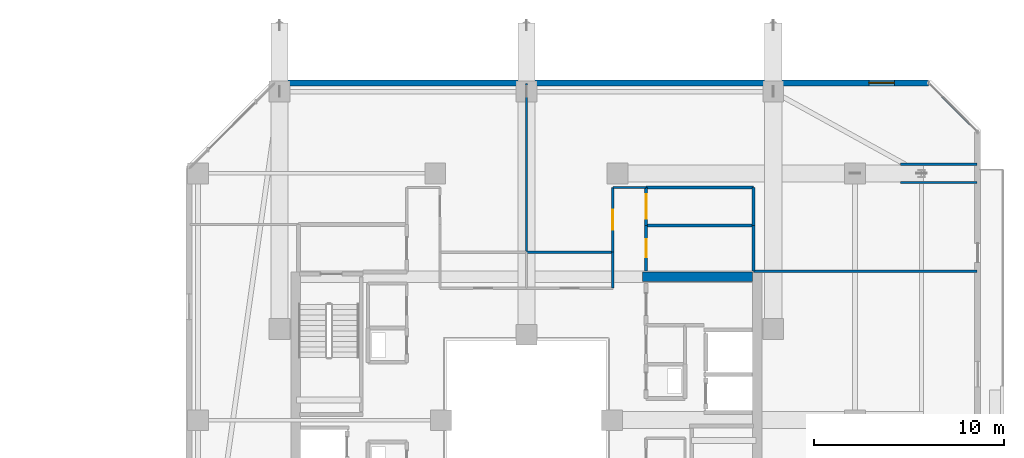
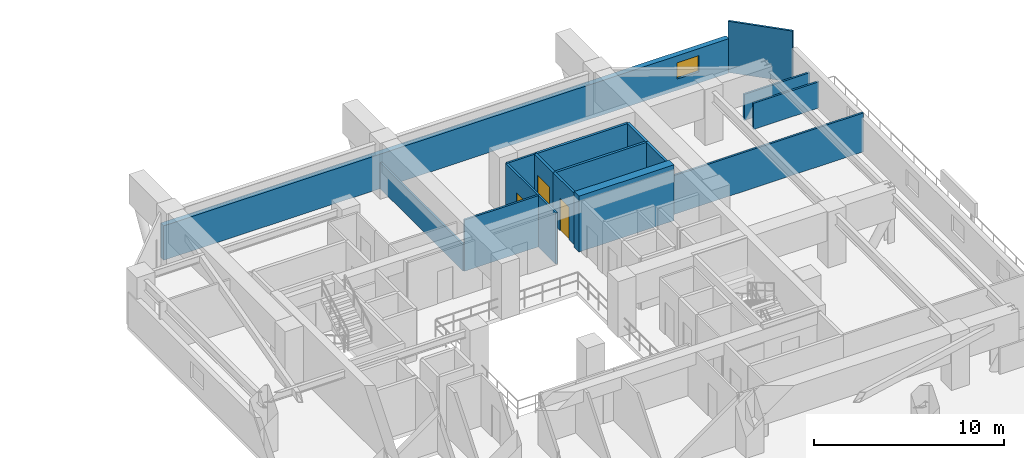
# One storey, part 27 of 35: 17 walls, 3 doors, 1 window, 4 openings.
"""IFC4 building model written with IfcOpenShell, lengths in metres."""

from ifc_helpers import new_model, si_unit, direction, frame, frame_2d, origin, place, context, subcontext, project, spatial, rectangle, extrude, material, layer, layer_set, type_object, element, fill, save


model = new_model("IFC4")

# Units and contexts
model_context = context("Model", 3, precision=1e-05, world=origin(), true_north=direction((0.0, 1.0)))
body_context = subcontext(model_context, "Body", "Model", "MODEL_VIEW")
ifc_project = project(units=[si_unit("LENGTHUNIT", "METRE"), si_unit("AREAUNIT", "SQUARE_METRE"), si_unit("VOLUMEUNIT", "CUBIC_METRE"), si_unit("PLANEANGLEUNIT", "RADIAN"), si_unit("MASSUNIT", "GRAM", prefix="KILO")], contexts=[model_context])

# Site, building, storey
site_placement = place(None, origin())
site = spatial("IfcSite", under=ifc_project, at=site_placement, CompositionType="ELEMENT")
building_placement = place(site_placement, origin())
building = spatial("IfcBuilding", under=site, at=building_placement, Name="Thornwick Lancets Civic Towers", CompositionType="ELEMENT")
storey_placement = place(building_placement, frame((0.0, 0.0, 145.5)))
storey = spatial("IfcBuildingStorey", under=building, at=storey_placement, Name="L38", CompositionType="ELEMENT", Elevation=145.5)

# Wall
ifc_material_1 = material(Name="Concrete C50/60", Category="concrete")
ifc_layer_1 = layer(ifc_material_1, 0.5, Name="Concrete C50/60")
ifc_layer_set_1 = layer_set([ifc_layer_1], Name="Concrete C50/60")
wall_type_1 = type_object("IfcWallType", Name="WALL_CORE_500", PredefinedType="SHEAR", material=ifc_layer_set_1)
wall_1_placement = place(storey_placement, frame((94.60009765625, 34.550048828125, 0.0), z_axis=(0.0, 0.0, 1.0), x_axis=(1.0, 0.0, 0.0)))
element("IfcWall", 1, at=wall_1_placement, inside=storey, type_object=wall_type_1, Name="L38 Split Core B1 Shear Wall N", PredefinedType="SHEAR", context=body_context, shape_type="SweptSolid", body=[
    extrude(rectangle(XDim=5.7998046875, YDim=0.5, at=frame_2d((2.89990234375, 0.0))), origin(), (0.0, 0.0, 1.0), 3.60009765625),
])

# Wall, opening, window
ifc_material_2 = material(Name="Insulated buff terracotta rainscreen on concrete C40/50", Category="masonry")
ifc_layer_2 = layer(ifc_material_2, 0.320068359375, Name="Insulated buff terracotta rainscreen on concrete C40/50")
ifc_layer_set_2 = layer_set([ifc_layer_2], Name="Insulated buff terracotta rainscreen on concrete C40/50")
wall_type_2 = type_object("IfcWallType", Name="WALL_EXT_TERRA_320", PredefinedType="STANDARD", material=ifc_layer_set_2)
wall_2_placement = place(storey_placement, frame((109.681396484375, 44.7646484375, 0.0), z_axis=(0.0, 0.0, 1.0), x_axis=(-0.999999983007, -0.000184351399, 0.0)))
wall_2 = element("IfcWall", 2, at=wall_2_placement, inside=storey, type_object=wall_type_2, Name="L38 Tower B Terracotta Facade Wall E4", PredefinedType="STANDARD", context=body_context, shape_type="SweptSolid", body=[
    extrude(rectangle(XDim=34.432373046875, YDim=0.320068359375, at=frame_2d((17.21630859375, 0.0))), origin(), (0.0, 0.0, 1.0), 2.219970703125),
])
opening_1_placement = place(wall_2_placement, frame((1.800048828125, 0.0, 0.719970703125)))
opening_1 = element("IfcOpeningElement", 3, at=opening_1_placement, cuts=wall_2, Name="Opening WL-03", PredefinedType="OPENING", context=body_context, shape_type="SweptSolid", body=[
    extrude(rectangle(XDim=1.35009765625, YDim=1.050048828125, at=frame_2d((0.675048828125, 0.52490234375))), frame((0.0, 0.169921875, 0.0), z_axis=(0.0, -1.0, 0.0), x_axis=(1.0, 0.0, 0.0)), (0.0, 0.0, 1.0), 0.340087890625),
])
ifc_material_3 = material(Name="Clear low-e double glazing clerestory lancet", Category="glass")
window_type = type_object("IfcWindowType", Name="WIN_LANCET_1350", PartitioningType="SINGLE_PANEL", PredefinedType="WINDOW", material=ifc_material_3)
window_placement = place(opening_1_placement, origin())
window = element("IfcWindow", 4, at=window_placement, inside=storey, type_object=window_type, Name="L38 Tower B Staggered Lancet Window E4-1", OverallHeight=1.050048828125, OverallWidth=1.35009765625, PartitioningType="SINGLE_PANEL", PredefinedType="WINDOW", context=body_context, shape_type="SweptSolid", body=[
    extrude(rectangle(XDim=1.35009765625, YDim=1.050048828125, at=frame_2d((0.675048828125, 0.52490234375))), frame((0.0, 0.030029296875, 0.0), z_axis=(0.0, -1.0, 0.0), x_axis=(1.0, 0.0, 0.0)), (0.0, 0.0, 1.0), 0.06005859375),
])
fill(opening_1, window)

# Walls
ifc_material_4 = material(Name="Acoustic gypsum board partition")
ifc_layer_3 = layer(ifc_material_4, 0.1201171875, Name="Acoustic gypsum board partition")
ifc_layer_set_3 = layer_set([ifc_layer_3], Name="Acoustic gypsum board partition")
wall_type_3 = type_object("IfcWallType", Name="WALL_PART_120", PredefinedType="PARTITIONING", material=ifc_layer_set_3)
wall_3_placement = place(storey_placement, frame((88.5, 35.85009765625, 0.0), z_axis=(0.0, 0.0, 1.0), x_axis=(1.0, 0.0, 0.0)))
element("IfcWall", 5, at=wall_3_placement, inside=storey, type_object=wall_type_3, Name="L38 Partition L38-B-E1 E2", PredefinedType="PARTITIONING", context=body_context, shape_type="SweptSolid", body=[
    extrude(rectangle(XDim=4.550048828125, YDim=0.1201171875, at=frame_2d((2.27490234375, 0.0))), origin(), (0.0, 0.0, 1.0), 3.300048828125),
])
wall_4_placement = place(storey_placement, frame((93.050048828125, 35.85009765625, 0.0), z_axis=(0.0, 0.0, 1.0), x_axis=(0.0, -1.0, 0.0)))
element("IfcWall", 6, at=wall_4_placement, inside=storey, type_object=wall_type_3, Name="L38 Partition L38-B-E1 E3", PredefinedType="PARTITIONING", context=body_context, shape_type="SweptSolid", body=[
    extrude(rectangle(XDim=1.900146484375, YDim=0.1201171875, at=frame_2d((0.9501953125, 0.0))), origin(), (0.0, 0.0, 1.0), 3.300048828125),
])
wall_5_placement = place(storey_placement, frame((94.800048828125, 39.25, 0.0), z_axis=(0.0, 0.0, 1.0), x_axis=(-1.0, 0.0, 0.0)))
element("IfcWall", 7, at=wall_5_placement, inside=storey, type_object=wall_type_3, Name="L38 Partition L38-B-E2 E4", PredefinedType="PARTITIONING", context=body_context, shape_type="SweptSolid", body=[
    extrude(rectangle(XDim=1.75, YDim=0.1201171875, at=frame_2d((0.875, 0.0))), origin(), (0.0, 0.0, 1.0), 3.300048828125),
])

# Wall, opening, door
wall_6_placement = place(storey_placement, frame((93.050048828125, 39.25, 0.0), z_axis=(0.0, 0.0, 1.0), x_axis=(0.0, -1.0, 0.0)))
wall_6 = element("IfcWall", 8, at=wall_6_placement, inside=storey, type_object=wall_type_3, Name="L38 Partition L38-B-E2 E5", PredefinedType="PARTITIONING", context=body_context, shape_type="SweptSolid", body=[
    extrude(rectangle(XDim=3.39990234375, YDim=0.1201171875, at=frame_2d((1.699951171875, 0.0))), origin(), (0.0, 0.0, 1.0), 3.300048828125),
])
opening_2_placement = place(wall_6_placement, frame((1.175048828125, 0.0, 0.0)))
opening_2 = element("IfcOpeningElement", 9, at=opening_2_placement, cuts=wall_6, Name="Opening D-L38-1748", PredefinedType="OPENING", context=body_context, shape_type="SweptSolid", body=[
    extrude(rectangle(XDim=1.050048828125, YDim=2.10009765625, at=frame_2d((0.52490234375, 1.050048828125))), frame((0.0, 0.070068359375, 0.0), z_axis=(0.0, -1.0, 0.0), x_axis=(1.0, 0.0, 0.0)), (0.0, 0.0, 1.0), 0.14013671875),
])
ifc_material_5 = material(Name="Glazed European oak executive doorset")
door_type_1 = type_object("IfcDoorType", Name="DOOR_OFFICE_1050", OperationType="NOTDEFINED", PredefinedType="DOOR", material=ifc_material_5)
door_1_placement = place(opening_2_placement, origin())
door_1 = element("IfcDoor", 10, at=door_1_placement, inside=storey, type_object=door_type_1, Name="L38 Tower B Secretariat Open Office E1 Door", OperationType="SINGLE_SWING_LEFT", OverallHeight=2.10009765625, OverallWidth=1.050048828125, PredefinedType="DOOR", context=body_context, shape_type="SweptSolid", body=[
    extrude(rectangle(XDim=1.050048828125, YDim=2.10009765625, at=frame_2d((0.52490234375, 1.050048828125))), frame((0.0, 0.02490234375, 0.0), z_axis=(0.0, -1.0, 0.0), x_axis=(1.0, 0.0, 0.0)), (0.0, 0.0, 1.0), 0.050048828125),
])
fill(opening_2, door_1)

# Walls
wall_7_placement = place(storey_placement, frame((88.5, 35.85009765625, 0.0), z_axis=(0.0, 0.0, 1.0), x_axis=(0.0, 1.0, 0.0)))
element("IfcWall", 11, at=wall_7_placement, inside=storey, type_object=wall_type_3, Name="L38 Partition L38-B-E2 E7", PredefinedType="PARTITIONING", context=body_context, shape_type="SweptSolid", body=[
    extrude(rectangle(XDim=8.869873046875, YDim=0.1201171875, at=frame_2d((4.43505859375, 0.0))), origin(), (0.0, 0.0, 1.0), 1.68505859375),
])
wall_8_placement = place(storey_placement, frame((109.725341796875, 44.719970703125, 0.0), z_axis=(0.0, 0.0, 1.0), x_axis=(0.707106781187, -0.707106781187, 0.0)))
element("IfcWall", 12, at=wall_8_placement, inside=storey, type_object=wall_type_3, Name="L38 Partition L38-B-E2 E9", PredefinedType="PARTITIONING", context=body_context, shape_type="SweptSolid", body=[
    extrude(rectangle(XDim=3.52783203125, YDim=0.1201171875, at=frame_2d((1.763916015625, 0.0))), origin(), (0.0, 0.0, 1.0), 3.300048828125),
])
for number, where, z_axis, x_axis, name in (
    (13, (112.219970703125, 40.47998046875, 0.0), (0.0, 0.0, 1.0), (-1.0, 0.0, 0.0), "L38 Partition L38-B-E2 E11"),
    (14, (108.212646484375, 39.52001953125, 0.0), (0.0, 0.0, 1.0), (1.0, 0.0, 0.0), "L38 Partition L38-B-E2 E13"),
):
    element("IfcWall", number, at=place(storey_placement, frame(where, z_axis=z_axis, x_axis=x_axis)), inside=storey, type_object=wall_type_3, Name=name, PredefinedType="PARTITIONING", context=body_context, shape_type="SweptSolid", body=[
        extrude(rectangle(XDim=4.00732421875, YDim=0.1201171875, at=frame_2d((2.003662109375, 0.0))), origin(), (0.0, 0.0, 1.0), 1.68505859375),
    ])
wall_9_placement = place(storey_placement, frame((112.219970703125, 34.85009765625, 0.0), z_axis=(0.0, 0.0, 1.0), x_axis=(-1.0, 0.0, 0.0)))
element("IfcWall", 15, at=wall_9_placement, inside=storey, type_object=wall_type_3, Name="L38 Partition L38-B-E2 E15", PredefinedType="PARTITIONING", context=body_context, shape_type="SweptSolid", body=[
    extrude(rectangle(XDim=11.77001953125, YDim=0.1201171875, at=frame_2d((5.885009765625, 0.0))), origin(), (0.0, 0.0, 1.0), 2.5048828125),
])
ifc_material_6 = material(Name="Twin-stud acoustic gypsum board")
ifc_layer_4 = layer(ifc_material_6, 0.14990234375, Name="Twin-stud acoustic gypsum board")
ifc_layer_set_4 = layer_set([ifc_layer_4], Name="Twin-stud acoustic gypsum board")
wall_type_4 = type_object("IfcWallType", Name="WALL_PART_150", PredefinedType="PARTITIONING", material=ifc_layer_set_4)
wall_10_placement = place(storey_placement, frame((100.449951171875, 37.25, 0.0), z_axis=(0.0, 0.0, 1.0), x_axis=(0.0, -1.0, 0.0)))
element("IfcWall", 16, at=wall_10_placement, inside=storey, type_object=wall_type_4, Name="L38 Partition L38-B-RECLAIM-L1 E1", PredefinedType="PARTITIONING", context=body_context, shape_type="SweptSolid", body=[
    extrude(rectangle(XDim=2.39990234375, YDim=0.14990234375, at=frame_2d((1.199951171875, 0.0))), origin(), (0.0, 0.0, 1.0), 3.300048828125),
])

# Wall, opening, door
wall_11_placement = place(storey_placement, frame((94.800048828125, 34.85009765625, 0.0), z_axis=(0.0, 0.0, 1.0), x_axis=(0.0, 1.0, 0.0)))
wall_11 = element("IfcWall", 17, at=wall_11_placement, inside=storey, type_object=wall_type_4, Name="L38 Partition L38-B-RECLAIM-L1 E3", PredefinedType="PARTITIONING", context=body_context, shape_type="SweptSolid", body=[
    extrude(rectangle(XDim=2.39990234375, YDim=0.14990234375, at=frame_2d((1.199951171875, 0.0))), origin(), (0.0, 0.0, 1.0), 3.300048828125),
])
opening_3_placement = place(wall_11_placement, frame((0.72509765625, 0.0, 0.0)))
opening_3 = element("IfcOpeningElement", 18, at=opening_3_placement, cuts=wall_11, Name="Opening D-L38-1741", PredefinedType="OPENING", context=body_context, shape_type="SweptSolid", body=[
    extrude(rectangle(XDim=0.949951171875, YDim=2.10009765625, at=frame_2d((0.47509765625, 1.050048828125))), frame((0.0, 0.0849609375, 0.0), z_axis=(0.0, -1.0, 0.0), x_axis=(1.0, 0.0, 0.0)), (0.0, 0.0, 1.0), 0.169921875),
])
ifc_material_7 = material(Name="European oak acoustic doorset")
door_type_2 = type_object("IfcDoorType", Name="DOOR_OFFICE_950", OperationType="NOTDEFINED", PredefinedType="DOOR", material=ifc_material_7)
door_2_placement = place(opening_3_placement, origin())
door_2 = element("IfcDoor", 19, at=door_2_placement, inside=storey, type_object=door_type_2, Name="L38 Tower B Policy Archive Door", OperationType="SINGLE_SWING_RIGHT", OverallHeight=2.10009765625, OverallWidth=0.949951171875, PredefinedType="DOOR", context=body_context, shape_type="SweptSolid", body=[
    extrude(rectangle(XDim=0.949951171875, YDim=2.10009765625, at=frame_2d((0.47509765625, 1.050048828125))), frame((0.0, 0.02490234375, 0.0), z_axis=(0.0, -1.0, 0.0), x_axis=(1.0, 0.0, 0.0)), (0.0, 0.0, 1.0), 0.050048828125),
])
fill(opening_3, door_2)

# Wall
wall_12_placement = place(storey_placement, frame((94.800048828125, 37.25, 0.0), z_axis=(0.0, 0.0, 1.0), x_axis=(1.0, 0.0, 0.0)))
element("IfcWall", 20, at=wall_12_placement, inside=storey, type_object=wall_type_4, Name="L38 Partition L38-B-RECLAIM-L1 E4", PredefinedType="PARTITIONING", context=body_context, shape_type="SweptSolid", body=[
    extrude(rectangle(XDim=5.64990234375, YDim=0.14990234375, at=frame_2d((2.824951171875, 0.0))), origin(), (0.0, 0.0, 1.0), 3.300048828125),
])

# Wall, opening, door
wall_13_placement = place(storey_placement, frame((94.800048828125, 37.25, 0.0), z_axis=(0.0, 0.0, 1.0), x_axis=(0.0, 1.0, 0.0)))
wall_13 = element("IfcWall", 21, at=wall_13_placement, inside=storey, type_object=wall_type_4, Name="L38 Partition L38-B-RECLAIM-L2 E1", PredefinedType="PARTITIONING", context=body_context, shape_type="SweptSolid", body=[
    extrude(rectangle(XDim=2.0, YDim=0.14990234375, at=frame_2d((1.0, 0.0))), origin(), (0.0, 0.0, 1.0), 3.300048828125),
])
opening_4_placement = place(wall_13_placement, frame((0.35009765625, 0.0, 0.0)))
opening_4 = element("IfcOpeningElement", 22, at=opening_4_placement, cuts=wall_13, Name="Opening D-L38-1742", PredefinedType="OPENING", context=body_context, shape_type="SweptSolid", body=[
    extrude(rectangle(XDim=1.300048828125, YDim=2.1201171875, at=frame_2d((0.64990234375, 1.06005859375))), frame((0.0, 0.0849609375, 0.0), z_axis=(0.0, -1.0, 0.0), x_axis=(1.0, 0.0, 0.0)), (0.0, 0.0, 1.0), 0.169921875),
])
ifc_material_8 = material(Name="Acoustic oak leaf-and-a-half doorset")
door_type_3 = type_object("IfcDoorType", Name="DOOR_MEET_1300", OperationType="DOUBLE_DOOR_SINGLE_SWING", PredefinedType="DOOR", material=ifc_material_8)
door_3_placement = place(opening_4_placement, origin())
door_3 = element("IfcDoor", 23, at=door_3_placement, inside=storey, type_object=door_type_3, Name="L38 Tower B Ministerial Consultation Room Door", OperationType="DOUBLE_DOOR_SINGLE_SWING", OverallHeight=2.1201171875, OverallWidth=1.300048828125, PredefinedType="DOOR", context=body_context, shape_type="SweptSolid", body=[
    extrude(rectangle(XDim=1.300048828125, YDim=2.1201171875, at=frame_2d((0.64990234375, 1.06005859375))), frame((0.0, 0.02490234375, 0.0), z_axis=(0.0, -1.0, 0.0), x_axis=(1.0, 0.0, 0.0)), (0.0, 0.0, 1.0), 0.050048828125),
])
fill(opening_4, door_3)

# Walls
wall_14_placement = place(storey_placement, frame((94.800048828125, 39.25, 0.0), z_axis=(0.0, 0.0, 1.0), x_axis=(1.0, 0.0, 0.0)))
element("IfcWall", 24, at=wall_14_placement, inside=storey, type_object=wall_type_4, Name="L38 Partition L38-B-RECLAIM-L2 E2", PredefinedType="PARTITIONING", context=body_context, shape_type="SweptSolid", body=[
    extrude(rectangle(XDim=5.64990234375, YDim=0.14990234375, at=frame_2d((2.824951171875, 0.0))), origin(), (0.0, 0.0, 1.0), 3.300048828125),
])
wall_15_placement = place(storey_placement, frame((100.449951171875, 39.25, 0.0), z_axis=(0.0, 0.0, 1.0), x_axis=(0.0, -1.0, 0.0)))
element("IfcWall", 25, at=wall_15_placement, inside=storey, type_object=wall_type_4, Name="L38 Partition L38-B-RECLAIM-L2 E3", PredefinedType="PARTITIONING", context=body_context, shape_type="SweptSolid", body=[
    extrude(rectangle(XDim=2.0, YDim=0.14990234375, at=frame_2d((1.0, 0.0))), origin(), (0.0, 0.0, 1.0), 3.300048828125),
])

save(model, "model.ifc")
